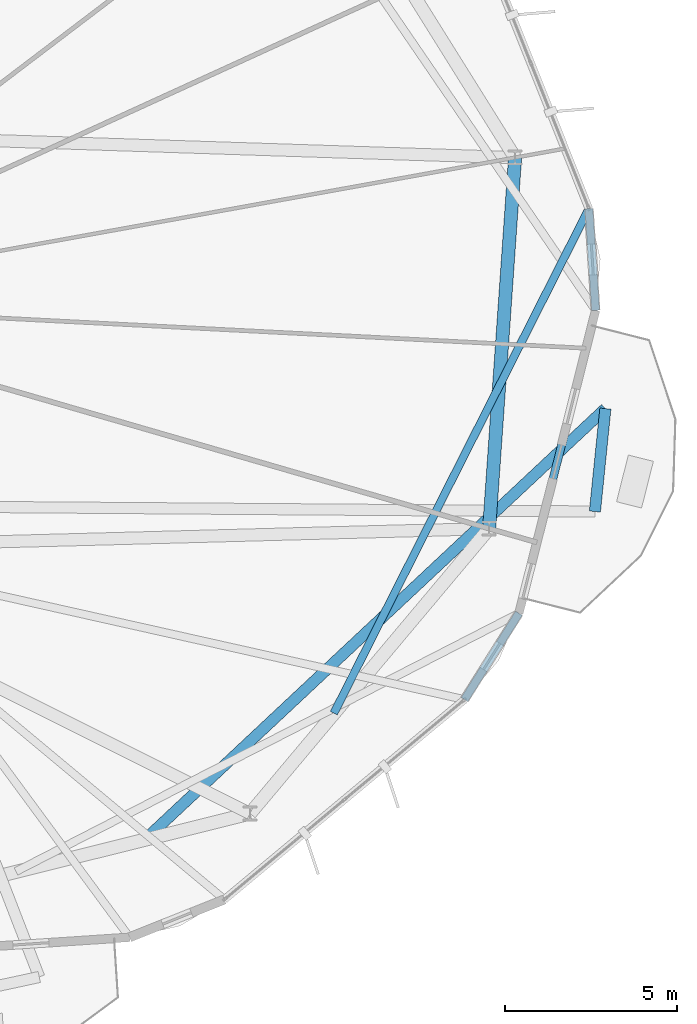
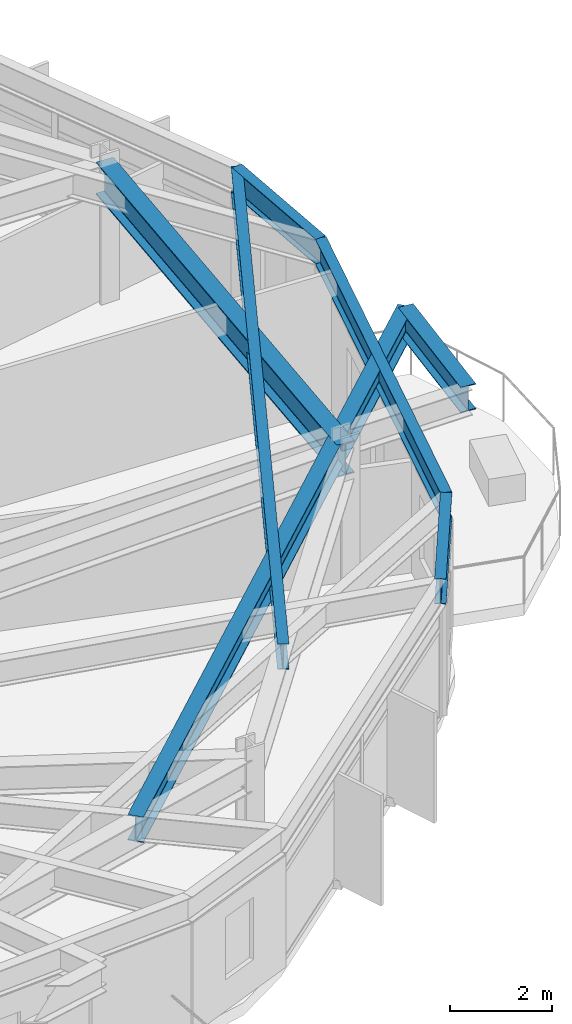
# One storey, part 10 of 24: 7 beams.
"""IFC4 building model written with IfcOpenShell, lengths in metres."""

import ifcopenshell
import ifcopenshell.guid

model = None  # the IFC model being written
_history = None  # IfcOwnerHistory: only IFC2X3 demands one
_inside = {}  # id of a spatial element -> (the spatial element, [elements in it])
_under = {}  # id of a project, library or spatial element -> (it, [spatial elements below it])
_declared = {}  # id of a project -> (the project, [libraries it declares])
_typed = {}  # id of a type object -> (the type object, [elements of that type])
_made_of = {}  # id of a material, layer set ... -> (it, [elements and type objects made of it])


def new_model(schema):
    """Start an empty IFC model of exactly this schema.

    Asked for "IFC4X3", IfcOpenShell would pick the latest addendum, in which some entities
    have other attributes; the version numbers below select the first issue.
    IFC2X3 requires an IfcOwnerHistory on every rooted entity: one is made here for all.
    """
    global model, _history
    if schema == "IFC4X3":
        model = ifcopenshell.file(schema_version=(4, 3, 0, 0))
    else:
        model = ifcopenshell.file(schema=schema)
    _inside.clear()
    _under.clear()
    _declared.clear()
    _typed.clear()
    _made_of.clear()
    _history = None
    if model.schema == "IFC2X3":
        org = make("IfcOrganization", Name="unknown")
        user = make(
            "IfcPersonAndOrganization",
            ThePerson=make("IfcPerson", FamilyName="unknown"),
            TheOrganization=org,
        )
        app = make(
            "IfcApplication",
            ApplicationDeveloper=org,
            Version="unknown",
            ApplicationFullName="unknown",
            ApplicationIdentifier="unknown",
        )
        _history = make(
            "IfcOwnerHistory",
            OwningUser=user,
            OwningApplication=app,
            ChangeAction="ADDED",
            CreationDate=0,
        )
    return model


def make(cls, **values):
    """One entity of the class cls with the attributes given. An attribute that is None is left unset."""
    return model.create_entity(
        cls, **{name: value for name, value in values.items() if value is not None}
    )


def rooted(cls, **values):
    """An entity with a GlobalId (a new one), such as an element, a storey or a relation."""
    return make(cls, GlobalId=ifcopenshell.guid.new(), OwnerHistory=_history, **values)


def si_unit(unit_type, name, prefix=None):
    """IfcSIUnit, for example si_unit("LENGTHUNIT", "METRE", prefix="MILLI")."""
    return make("IfcSIUnit", UnitType=unit_type, Prefix=prefix, Name=name)


def assignment(units):
    """IfcUnitAssignment: the units of a project."""
    return None if units is None else make("IfcUnitAssignment", Units=units)


def point(xyz):
    """IfcCartesianPoint."""
    return None if xyz is None else make("IfcCartesianPoint", Coordinates=xyz)


def direction(xyz):
    """IfcDirection."""
    return None if xyz is None else make("IfcDirection", DirectionRatios=xyz)


def frame(location, z_axis=None, x_axis=None):
    """IfcAxis2Placement3D, a coordinate frame: its origin and axes. An axis left out is left unset."""
    return make(
        "IfcAxis2Placement3D",
        Location=point(location),
        Axis=direction(z_axis),
        RefDirection=direction(x_axis),
    )


def frame_2d(location, x_axis=None):
    """IfcAxis2Placement2D, a coordinate frame in the plane: its origin and x axis."""
    return make(
        "IfcAxis2Placement2D", Location=point(location), RefDirection=direction(x_axis)
    )


def origin():
    """The frame at (0, 0, 0) with its axes left unset."""
    return frame((0.0, 0.0, 0.0))


def origin_2d():
    """The frame at (0, 0) in the plane with its x axis left unset."""
    return frame_2d((0.0, 0.0))


def place(relative_to, where):
    """IfcLocalPlacement: puts the frame where relative to a parent placement (None: the world)."""
    return make(
        "IfcLocalPlacement", PlacementRelTo=relative_to, RelativePlacement=where
    )


def context(
    kind, dimensions, precision=None, world=None, true_north=None, identifier=None
):
    """IfcGeometricRepresentationContext, for example the 3D "Model" context."""
    return make(
        "IfcGeometricRepresentationContext",
        ContextIdentifier=identifier,
        ContextType=kind,
        CoordinateSpaceDimension=dimensions,
        Precision=precision,
        WorldCoordinateSystem=world,
        TrueNorth=true_north,
    )


def subcontext(parent, identifier, kind, view, scale=None):
    """IfcGeometricRepresentationSubContext, for example "Body" below "Model"."""
    return make(
        "IfcGeometricRepresentationSubContext",
        ContextIdentifier=identifier,
        ContextType=kind,
        ParentContext=parent,
        TargetScale=scale,
        TargetView=view,
    )


def project(units=None, contexts=None):
    """IfcProject with its units and contexts."""
    return rooted(
        "IfcProject",
        Name="project",
        RepresentationContexts=contexts,
        UnitsInContext=assignment(units),
    )


def spatial(cls, under=None, at=None, **own):
    """A site, building, storey or space (cls), placed at a placement, below another one or the project."""
    s = rooted(cls, ObjectPlacement=at, **own)
    if under is not None:
        _under.setdefault(under.id(), (under, []))[1].append(s)
    return s


def profile(cls, at=None, kind="AREA", **sizes):
    """A parametric profile (cls). Its sizes go by their IFC names, for example OverallWidth=200.0."""
    return make(cls, ProfileType=kind, Position=at, **sizes)


def i_section(**sizes):
    """IfcIShapeProfileDef."""
    return profile("IfcIShapeProfileDef", **sizes)


def extrude(swept, where, along, depth):
    """IfcExtrudedAreaSolid: the profile swept, set in the frame where, extruded along a direction by depth."""
    return make(
        "IfcExtrudedAreaSolid",
        SweptArea=swept,
        Position=where,
        ExtrudedDirection=direction(along),
        Depth=depth,
    )


def shape(context_of_items, identifier, shape_type, items):
    """IfcShapeRepresentation: the items that make up one representation, for example the "Body"."""
    return make(
        "IfcShapeRepresentation",
        ContextOfItems=context_of_items,
        RepresentationIdentifier=identifier,
        RepresentationType=shape_type,
        Items=items,
    )


def material(Name=None, Category=None):
    """IfcMaterial."""
    return make("IfcMaterial", Name=Name, Category=Category)


def material_profile(
    of_material, cross_section, Name=None, Category=None, Priority=None
):
    """IfcMaterialProfile: a cross section and its material."""
    return make(
        "IfcMaterialProfile",
        Name=Name,
        Material=of_material,
        Profile=cross_section,
        Priority=Priority,
        Category=Category,
    )


def profile_set(profiles, Name=None, composite=None):
    """IfcMaterialProfileSet."""
    return make(
        "IfcMaterialProfileSet",
        Name=Name,
        MaterialProfiles=profiles,
        CompositeProfile=composite,
    )


def made_of(thing, what):
    """Note that an element or type object is made of a material, layer set ...; save() writes the relation."""
    if what is not None:
        _made_of.setdefault(what.id(), (what, []))[1].append(thing)
    return thing


def type_object(cls, material=None, **own):
    """A type object (cls), such as IfcWallType, which elements share."""
    return made_of(rooted(cls, **own), material)


def element(
    cls,
    number,
    at=None,
    inside=None,
    cuts=None,
    type_object=None,
    material=None,
    context=None,
    identifier="Body",
    shape_type=None,
    held_by="IfcProductDefinitionShape",
    body=None,
    shapes=None,
    **own,
):
    """One element of the class cls, such as IfcWall. Its Tag is "e" and its number.

    at: its placement. inside: the storey or other place that contains it. cuts: it is an
    opening in that element (IfcRelVoidsElement). A single representation is given by context,
    identifier, shape_type and body (its items); several are given by shapes. held_by: the class
    of the entity that holds the representations. save() writes the other relations.
    """
    e = rooted(cls, Tag="e%d" % number, ObjectPlacement=at, **own)
    if body is not None:
        shapes = [shape(context, identifier, shape_type, body)]
    if shapes is not None:
        e.Representation = make(held_by, Representations=shapes)
    if inside is not None:
        _inside.setdefault(inside.id(), (inside, []))[1].append(e)
    if cuts is not None:
        rooted(
            "IfcRelVoidsElement", RelatingBuildingElement=cuts, RelatedOpeningElement=e
        )
    if type_object is not None:
        _typed.setdefault(type_object.id(), (type_object, []))[1].append(e)
    return made_of(e, material)


def aggregate(whole, parts):
    """IfcRelAggregates: a whole, such as a stair, and the parts it consists of."""
    return rooted("IfcRelAggregates", RelatingObject=whole, RelatedObjects=parts)


def save(model, path):
    """Write the relations noted so far, then the file.

    IfcRelAggregates (storeys below a building ...), IfcRelContainedInSpatialStructure (elements
    in a storey), IfcRelDefinesByType, IfcRelAssociatesMaterial and IfcRelDeclares: one each for
    every whole, place, type object, material and project.
    """
    for whole, parts in _under.values():
        aggregate(whole, parts)
    for where, things in _inside.values():
        rooted(
            "IfcRelContainedInSpatialStructure",
            RelatedElements=things,
            RelatingStructure=where,
        )
    for kind, things in _typed.values():
        rooted("IfcRelDefinesByType", RelatedObjects=things, RelatingType=kind)
    for what, things in _made_of.values():
        rooted("IfcRelAssociatesMaterial", RelatedObjects=things, RelatingMaterial=what)
    for by, libraries in _declared.values():
        rooted("IfcRelDeclares", RelatingContext=by, RelatedDefinitions=libraries)
    model.write(path)


model = new_model("IFC4")

# Units and contexts
model_context = context("Model", 3, precision=1e-05, world=origin(), true_north=direction((0.0, 1.0)))
body_context = subcontext(model_context, "Body", "Model", "MODEL_VIEW")
ifc_project = project(units=[si_unit("LENGTHUNIT", "METRE"), si_unit("AREAUNIT", "SQUARE_METRE"), si_unit("VOLUMEUNIT", "CUBIC_METRE"), si_unit("PLANEANGLEUNIT", "RADIAN"), si_unit("MASSUNIT", "GRAM", prefix="KILO")], contexts=[model_context])

# Site, building, storey
site_placement = place(None, origin())
site = spatial("IfcSite", under=ifc_project, at=site_placement, CompositionType="ELEMENT")
building_placement = place(site_placement, origin())
building = spatial("IfcBuilding", under=site, at=building_placement, Name="Soratama Intermodal Tower", CompositionType="ELEMENT")
storey_placement = place(building_placement, frame((0.0, 0.0, 178.60009765625)))
storey = spatial("IfcBuildingStorey", under=building, at=storey_placement, Name="L44", CompositionType="ELEMENT", Elevation=178.60009765625)

# Beams
ifc_material_1 = material(Name="Structural steel ASTM A992 Grade 50", Category="steel")
ifc_material_profile_1 = material_profile(ifc_material_1, i_section(OverallWidth=0.324951171875, OverallDepth=0.615966796875, WebThickness=0.013916015625, FlangeThickness=0.021484375, FilletRadius=0.013916015625, at=origin_2d()), Name="W24X117")
ifc_profile_set_1 = profile_set([ifc_material_profile_1], Name="Structural steel ASTM A992 Grade 50")
beam_type_1 = type_object("IfcBeamType", Name="BM-CANT-W24X117", PredefinedType="BEAM", material=ifc_profile_set_1)
beam_1_placement = place(storey_placement, frame((64.302001953125, 18.94091796875, 2.991943359375), z_axis=(0.101351427993, 0.994850686306, 0.0), x_axis=(-0.994850686306, 0.101351427993, 0.0)))
element("IfcBeam", 1, at=beam_1_placement, inside=storey, type_object=beam_type_1, Name="BM-L44-CBHDR-1", PredefinedType="BEAM", context=body_context, shape_type="SweptSolid", body=[
    extrude(i_section(OverallWidth=0.324951171875, OverallDepth=0.615966796875, WebThickness=0.013916015625, FlangeThickness=0.021484375, FilletRadius=0.013916015625, at=origin_2d()), origin(), (0.0, 0.0, 1.0), 3.008544921875),
])
beam_2_placement = place(storey_placement, frame((51.243896484375, 9.424072265625, 2.991943359375), z_axis=(0.73002323916, 0.683422322057, 0.0), x_axis=(-0.683422322057, 0.73002323916, 0.0)))
element("IfcBeam", 2, at=beam_2_placement, inside=storey, type_object=beam_type_1, Name="BM-L44-CANT-1-2", PredefinedType="BEAM", context=body_context, shape_type="SweptSolid", body=[
    extrude(i_section(OverallWidth=0.324951171875, OverallDepth=0.615966796875, WebThickness=0.013916015625, FlangeThickness=0.021484375, FilletRadius=0.013916015625, at=origin_2d()), origin(), (0.0, 0.0, 1.0), 18.304931640625),
])
ifc_material_2 = material(Name="Structural steel ASTM A992 Grade 50", Category="steel")
ifc_material_profile_2 = material_profile(ifc_material_2, i_section(OverallWidth=0.382080078125, OverallDepth=0.779052734375, WebThickness=0.01806640625, FlangeThickness=0.030029296875, FilletRadius=0.01806640625, at=origin_2d()), Name="W30X191")
ifc_profile_set_2 = profile_set([ifc_material_profile_2], Name="Structural steel ASTM A992 Grade 50")
beam_type_2 = type_object("IfcBeamType", Name="BM-RING-W30X191", PredefinedType="BEAM", material=ifc_profile_set_2)
beam_3_placement = place(storey_placement, frame((61.22607421875, 18.444091796875, 2.910400390625), z_axis=(0.069702217409, 0.99756784275, 0.0), x_axis=(-0.99756784275, 0.069702217409, 0.0)))
element("IfcBeam", 3, at=beam_3_placement, inside=storey, type_object=beam_type_2, Name="BM-L44-RING-10", PredefinedType="BEAM", context=body_context, shape_type="SweptSolid", body=[
    extrude(i_section(OverallWidth=0.382080078125, OverallDepth=0.779052734375, WebThickness=0.01806640625, FlangeThickness=0.030029296875, FilletRadius=0.01806640625, at=origin_2d()), origin(), (0.0, 0.0, 1.0), 10.816162109375),
])
ifc_material_3 = material(Name="Structural steel ASTM A992 Grade 50", Category="steel")
ifc_material_profile_3 = material_profile(ifc_material_3, i_section(OverallWidth=0.22900390625, OverallDepth=0.612060546875, WebThickness=0.011962890625, FlangeThickness=0.01953125, FilletRadius=0.012939453125, at=origin_2d()), Name="W24X84")
ifc_profile_set_3 = profile_set([ifc_material_profile_3], Name="Structural steel ASTM A992 Grade 50")
beam_type_3 = type_object("IfcBeamType", Name="BM-SPN-W24X84", PredefinedType="SPANDREL", material=ifc_profile_set_3)
beam_4_placement = place(storey_placement, frame((60.510009765625, 13.471923828125, 2.993896484375), z_axis=(0.533212596008, 0.845981280797, 0.0), x_axis=(-0.845981280797, 0.533212596008, 0.0)))
element("IfcBeam", 4, at=beam_4_placement, inside=storey, type_object=beam_type_3, Name="BS-L44-CRN08", PredefinedType="SPANDREL", context=body_context, shape_type="SweptSolid", body=[
    extrude(i_section(OverallWidth=0.22900390625, OverallDepth=0.612060546875, WebThickness=0.011962890625, FlangeThickness=0.01953125, FilletRadius=0.012939453125, at=origin_2d()), origin(), (0.0, 0.0, 1.0), 2.967041015625),
])
beam_5_placement = place(storey_placement, frame((62.092041015625, 15.98193359375, 2.993896484375), z_axis=(0.245632172945, 0.969363108239, 0.0), x_axis=(-0.969363108239, 0.245632172945, 0.0)))
element("IfcBeam", 5, at=beam_5_placement, inside=storey, type_object=beam_type_3, Name="BS-L44-F09", PredefinedType="SPANDREL", context=body_context, shape_type="SweptSolid", body=[
    extrude(i_section(OverallWidth=0.22900390625, OverallDepth=0.612060546875, WebThickness=0.011962890625, FlangeThickness=0.01953125, FilletRadius=0.012939453125, at=origin_2d()), origin(), (0.0, 0.0, 1.0), 9.08642578125),
])
beam_6_placement = place(storey_placement, frame((64.323974609375, 24.7900390625, 2.993896484375), z_axis=(-0.066087471808, 0.997813833373, 0.0), x_axis=(-0.997813833373, -0.066087471808, 0.0)))
element("IfcBeam", 6, at=beam_6_placement, inside=storey, type_object=beam_type_3, Name="BS-L44-CRN09", PredefinedType="SPANDREL", context=body_context, shape_type="SweptSolid", body=[
    extrude(i_section(OverallWidth=0.22900390625, OverallDepth=0.612060546875, WebThickness=0.011962890625, FlangeThickness=0.01953125, FilletRadius=0.012939453125, at=origin_2d()), origin(), (0.0, 0.0, 1.0), 2.966552734375),
])
ifc_material_4 = material(Name="Structural steel ASTM A992 Grade 50", Category="steel")
ifc_material_profile_4 = material_profile(ifc_material_4, i_section(OverallWidth=0.22900390625, OverallDepth=0.612060546875, WebThickness=0.011962890625, FlangeThickness=0.01953125, FilletRadius=0.012939453125, at=origin_2d()), Name="W24X84")
ifc_profile_set_4 = profile_set([ifc_material_profile_4], Name="Structural steel ASTM A992 Grade 50")
beam_type_4 = type_object("IfcBeamType", Name="BM-TIE-W24X84", PredefinedType="BEAM", material=ifc_profile_set_4)
beam_7_placement = place(storey_placement, frame((56.7109375, 13.077880859375, 2.993896484375), z_axis=(0.451147519789, 0.89244939094, 0.0), x_axis=(-0.89244939094, 0.451147519789, 0.0)))
element("IfcBeam", 7, at=beam_7_placement, inside=storey, type_object=beam_type_4, Name="BM-L44-TIE0-10", PredefinedType="BEAM", context=body_context, shape_type="SweptSolid", body=[
    extrude(i_section(OverallWidth=0.22900390625, OverallDepth=0.612060546875, WebThickness=0.011962890625, FlangeThickness=0.01953125, FilletRadius=0.012939453125, at=origin_2d()), origin(), (0.0, 0.0, 1.0), 16.440185546875),
])

save(model, "model.ifc")
